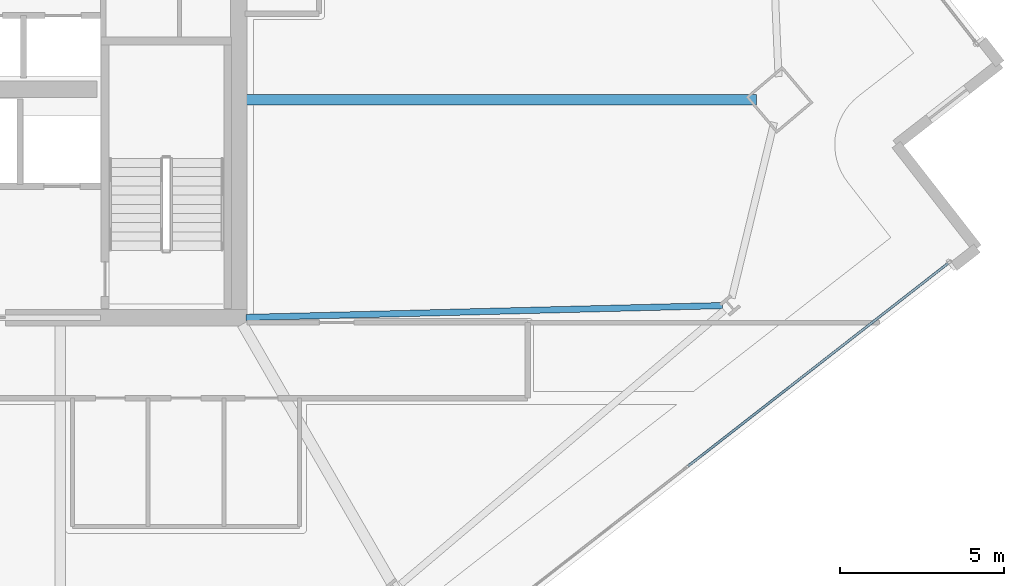
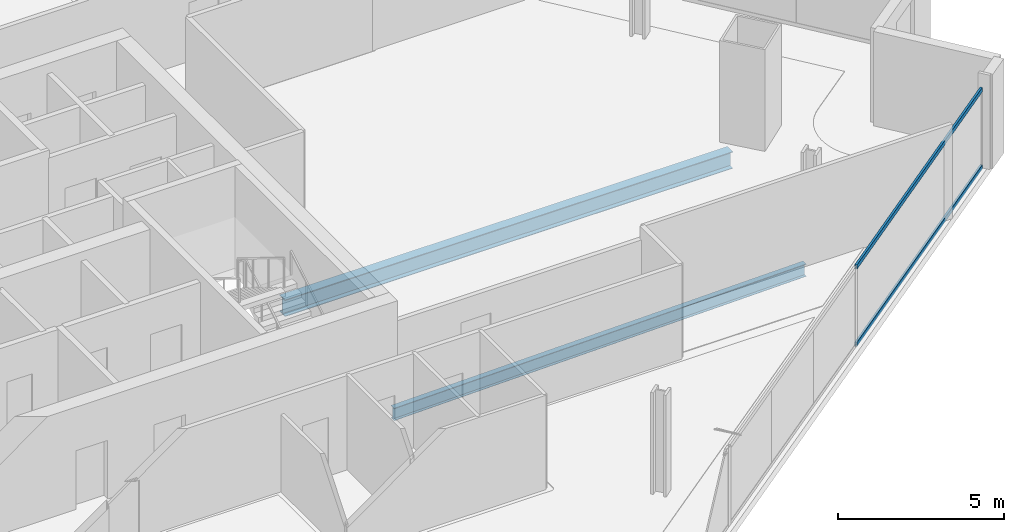
# One storey, part 10 of 32: 2 beams, 2 members, 1 element without a shape of its own.
"""IFC4 building model written with IfcOpenShell, lengths in metres."""

from ifc_helpers import new_model, si_unit, direction, frame, origin, origin_2d, place, context, subcontext, project, spatial, hollow_rectangle, i_section, extrude, material, material_profile, profile_set, type_object, element, aggregate, save


model = new_model("IFC4")

# Units and contexts
model_context = context("Model", 3, precision=1e-05, world=origin(), true_north=direction((0.0, 1.0)))
body_context = subcontext(model_context, "Body", "Model", "MODEL_VIEW")
ifc_project = project(units=[si_unit("LENGTHUNIT", "METRE"), si_unit("AREAUNIT", "SQUARE_METRE"), si_unit("VOLUMEUNIT", "CUBIC_METRE"), si_unit("PLANEANGLEUNIT", "RADIAN"), si_unit("MASSUNIT", "GRAM", prefix="KILO")], contexts=[model_context])

# Site, building, storey
site_placement = place(None, origin())
site = spatial("IfcSite", under=ifc_project, at=site_placement, CompositionType="ELEMENT")
building_placement = place(site_placement, origin())
building = spatial("IfcBuilding", under=site, at=building_placement, Name="Haldenkirk Collegiate Tower", CompositionType="ELEMENT")
storey_placement = place(building_placement, frame((0.0, 0.0, 155.699951171875)))
storey = spatial("IfcBuildingStorey", under=building, at=storey_placement, Name="L38", CompositionType="ELEMENT", Elevation=155.699951171875)

# Beams
ifc_material_1 = material(Name="Steel ASTM A992 Grade 50", Category="steel")
ifc_material_profile_1 = material_profile(ifc_material_1, i_section(OverallWidth=0.324951171875, OverallDepth=0.615966796875, WebThickness=0.013916015625, FlangeThickness=0.021484375, at=origin_2d()), Name="W24X117")
ifc_profile_set_1 = profile_set([ifc_material_profile_1], Name="Steel ASTM A992 Grade 50")
beam_type_1 = type_object("IfcBeamType", Name="BM-GIRDER-W24X117", PredefinedType="BEAM", material=ifc_profile_set_1)
beam_1_placement = place(storey_placement, frame((60.760009765625, 24.62890625, -0.597900390625), z_axis=(-1.0, 0.0, 0.0), x_axis=(0.0, -1.0, 0.0)))
element("IfcBeam", 1, at=beam_1_placement, inside=storey, type_object=beam_type_1, Name="L38 primary floor girder 02", PredefinedType="BEAM", context=body_context, shape_type="SweptSolid", body=[
    extrude(i_section(OverallWidth=0.324951171875, OverallDepth=0.615966796875, WebThickness=0.013916015625, FlangeThickness=0.021484375, at=origin_2d()), origin(), (0.0, 0.0, 1.0), 15.530029296875),
])
ifc_material_profile_2 = material_profile(ifc_material_1, i_section(OverallWidth=0.18994140625, OverallDepth=0.45703125, WebThickness=0.009033203125, FlangeThickness=0.014404296875, at=origin_2d()), Name="W18X50")
ifc_profile_set_2 = profile_set([ifc_material_profile_2], Name="Steel ASTM A992 Grade 50")
beam_type_2 = type_object("IfcBeamType", Name="BM-JOIST-W18X50", PredefinedType="JOIST", material=ifc_profile_set_2)
beam_2_placement = place(storey_placement, frame((59.727294921875, 18.3671875, -0.5185546875), z_axis=(-0.999689127321, -0.024932884215, 0.0), x_axis=(0.024932884215, -0.999689127321, 0.0)))
element("IfcBeam", 2, at=beam_2_placement, inside=storey, type_object=beam_type_2, Name="L38 composite floor joist 07", PredefinedType="JOIST", context=body_context, shape_type="SweptSolid", body=[
    extrude(i_section(OverallWidth=0.18994140625, OverallDepth=0.45703125, WebThickness=0.009033203125, FlangeThickness=0.014404296875, at=origin_2d()), origin(), (0.0, 0.0, 1.0), 14.501708984375),
])

# Curtain wall, members
ifc_material_2 = material(Name="Anodised architectural bronze aluminium", Category="aluminium")
curtain_wall_type = type_object("IfcCurtainWallType", Name="CW-SYS2-CONCAVE", PredefinedType="USERDEFINED", material=ifc_material_2)
curtain_wall_placement = place(storey_placement, origin())
curtain_wall = element("IfcCurtainWall", 3, at=curtain_wall_placement, inside=storey, type_object=curtain_wall_type, Name="L38 South concave recessed bronze-anodised curtain wall", ObjectType="UNITISED CURTAIN WALL", PredefinedType="USERDEFINED")
ifc_material_profile_3 = material_profile(ifc_material_2, hollow_rectangle(XDim=0.074951171875, YDim=0.159912109375, WallThickness=0.0048828125, at=origin_2d()), Name="CW-TRN-02")
ifc_profile_set_3 = profile_set([ifc_material_profile_3], Name="Anodised architectural bronze aluminium")
member_type = type_object("IfcMemberType", Name="CW-TRN-02", PredefinedType="USERDEFINED", material=ifc_profile_set_3)
member_1_placement = place(storey_placement, frame((66.59716796875, 19.654541015625, 0.03759765625), z_axis=(-0.788544767697, -0.614977356769, 0.0), x_axis=(0.614977356769, -0.788544767697, 0.0)))
member_1 = element("IfcMember", 4, at=member_1_placement, type_object=member_type, Name="CW-02 transom 1.1", ObjectType="TRANSOM", PredefinedType="USERDEFINED", context=body_context, shape_type="SweptSolid", body=[
    extrude(hollow_rectangle(XDim=0.074951171875, YDim=0.159912109375, WallThickness=0.0048828125, at=origin_2d()), origin(), (0.0, 0.0, 1.0), 10.03759765625),
])
member_2_placement = place(storey_placement, frame((66.59716796875, 19.654541015625, 2.87353515625), z_axis=(-0.788544767697, -0.614977356769, 0.0), x_axis=(0.614977356769, -0.788544767697, 0.0)))
member_2 = element("IfcMember", 5, at=member_2_placement, type_object=member_type, Name="CW-02 transom 1.2", ObjectType="TRANSOM", PredefinedType="USERDEFINED", context=body_context, shape_type="SweptSolid", body=[
    extrude(hollow_rectangle(XDim=0.074951171875, YDim=0.159912109375, WallThickness=0.0048828125, at=origin_2d()), origin(), (0.0, 0.0, 1.0), 10.03759765625),
])
aggregate(curtain_wall, [member_1, member_2])

save(model, "model.ifc")
